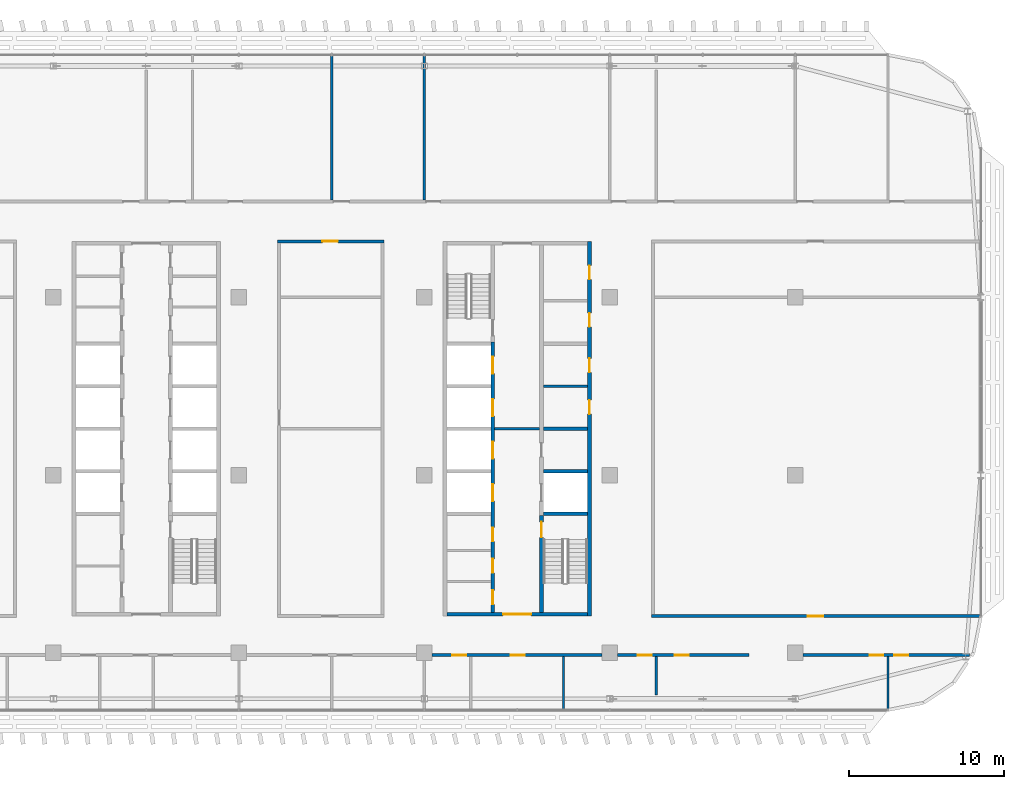
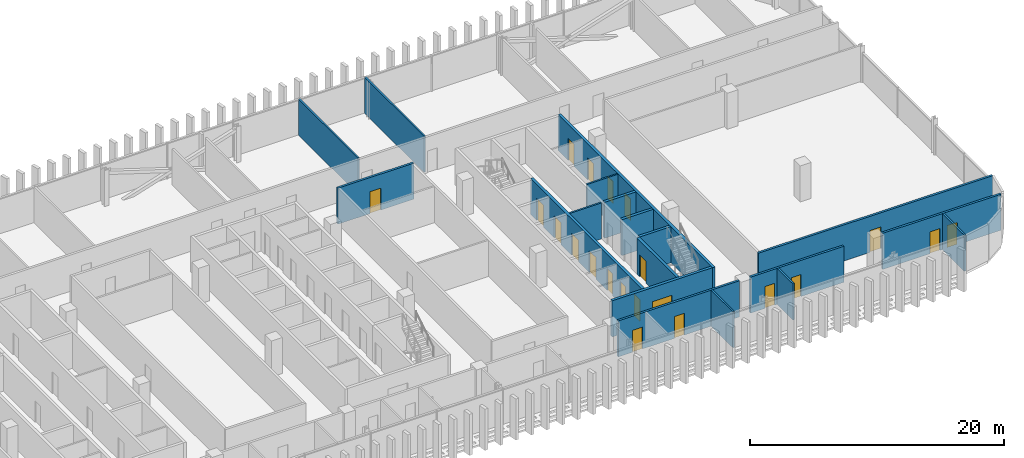
# One storey, part 21 of 34: 21 doors, 19 walls, 21 openings.
"""IFC4 building model written with IfcOpenShell, lengths in metres."""

from ifc_helpers import new_model, si_unit, direction, frame, frame_2d, origin, place, context, subcontext, project, spatial, rectangle, extrude, material, layer, layer_set, type_object, element, fill, save


model = new_model("IFC4")

# Units and contexts
model_context = context("Model", 3, precision=1e-05, world=origin(), true_north=direction((0.0, 1.0)))
body_context = subcontext(model_context, "Body", "Model", "MODEL_VIEW")
ifc_project = project(units=[si_unit("LENGTHUNIT", "METRE"), si_unit("AREAUNIT", "SQUARE_METRE"), si_unit("VOLUMEUNIT", "CUBIC_METRE"), si_unit("PLANEANGLEUNIT", "RADIAN"), si_unit("MASSUNIT", "GRAM", prefix="KILO")], contexts=[model_context])

# Site, building, storey
site_placement = place(None, origin())
site = spatial("IfcSite", under=ifc_project, at=site_placement, CompositionType="ELEMENT")
building_placement = place(site_placement, origin())
building = spatial("IfcBuilding", under=site, at=building_placement, Name="Mahtab Terrace Research Tower", CompositionType="ELEMENT")
storey_placement = place(building_placement, frame((0.0, 0.0, 247.60009765625)))
storey = spatial("IfcBuildingStorey", under=building, at=storey_placement, Name="L60", CompositionType="ELEMENT", Elevation=247.60009765625)

# Walls
ifc_material_1 = material(Name="Gypsum board partition")
ifc_layer_1 = layer(ifc_material_1, 0.14990234375)
ifc_layer_set_1 = layer_set([ifc_layer_1], Name="Core partition 150")
wall_type_1 = type_object("IfcWallType", Name="Core partition 150", PredefinedType="PARTITIONING", material=ifc_layer_set_1)
wall_1_placement = place(storey_placement, frame((22.550048828125, 3.0, 0.0), z_axis=(0.0, 0.0, 1.0), x_axis=(1.0, 0.0, 0.0)))
element("IfcWall", 1, at=wall_1_placement, inside=storey, type_object=wall_type_1, Name="Core wall C ffl", PredefinedType="PARTITIONING", context=body_context, shape_type="SweptSolid", body=[
    extrude(rectangle(XDim=2.89990234375, YDim=0.14990234375, at=frame_2d((1.449951171875, 0.0))), origin(), (0.0, 0.0, 1.0), 3.4599609375),
])
wall_2_placement = place(storey_placement, frame((25.699951171875, 5.75, 0.0), z_axis=(0.0, 0.0, 1.0), x_axis=(1.0, 0.0, 0.0)))
element("IfcWall", 2, at=wall_2_placement, inside=storey, type_object=wall_type_1, Name="Core wall C pEL275", PredefinedType="PARTITIONING", context=body_context, shape_type="SweptSolid", body=[
    extrude(rectangle(XDim=2.85009765625, YDim=0.14990234375, at=frame_2d((1.425048828125, 0.0))), origin(), (0.0, 0.0, 1.0), 3.4599609375),
])

# Wall, openings, doors
ifc_material_2 = material(Name="Concrete C70/85", Category="concrete")
ifc_layer_2 = layer(ifc_material_2, 0.25)
ifc_layer_set_2 = layer_set([ifc_layer_2], Name="Core wall 250")
wall_type_2 = type_object("IfcWallType", Name="Core wall 250", PredefinedType="SOLIDWALL", material=ifc_layer_set_2)
wall_3_placement = place(storey_placement, frame((28.675048828125, -9.125, 0.0), z_axis=(0.0, 0.0, 1.0), x_axis=(0.0, 1.0, 0.0)))
wall_3 = element("IfcWall", 3, at=wall_3_placement, inside=storey, type_object=wall_type_2, Name="Core wall C outerE", PredefinedType="SOLIDWALL", context=body_context, shape_type="SweptSolid", body=[
    extrude(rectangle(XDim=24.25, YDim=0.25, at=frame_2d((12.125, 0.0))), origin(), (0.0, 0.0, 1.0), 3.4599609375),
])
opening_1_placement = place(wall_3_placement, frame((13.074951171875, 0.0, 0.0)))
opening_1 = element("IfcOpeningElement", 4, at=opening_1_placement, cuts=wall_3, Name="Opening C-R2", PredefinedType="OPENING", context=body_context, shape_type="SweptSolid", body=[
    extrude(rectangle(XDim=0.89990234375, YDim=2.10009765625, at=frame_2d((0.449951171875, 1.050048828125))), frame((0.0, 0.135009765625, 0.0), z_axis=(0.0, -1.0, 0.0), x_axis=(1.0, 0.0, 0.0)), (0.0, 0.0, 1.0), 0.27001953125),
])
opening_2_placement = place(wall_3_placement, frame((15.77490234375, 0.0, 0.0)))
opening_2 = element("IfcOpeningElement", 5, at=opening_2_placement, cuts=wall_3, Name="Opening C-R3", PredefinedType="OPENING", context=body_context, shape_type="SweptSolid", body=[
    extrude(rectangle(XDim=0.89990234375, YDim=2.10009765625, at=frame_2d((0.449951171875, 1.050048828125))), frame((0.0, 0.135009765625, 0.0), z_axis=(0.0, -1.0, 0.0), x_axis=(1.0, 0.0, 0.0)), (0.0, 0.0, 1.0), 0.27001953125),
])
opening_3_placement = place(wall_3_placement, frame((18.71240234375, 0.0, 0.0)))
opening_3 = element("IfcOpeningElement", 6, at=opening_3_placement, cuts=wall_3, Name="Opening C-R7", PredefinedType="OPENING", context=body_context, shape_type="SweptSolid", body=[
    extrude(rectangle(XDim=0.89990234375, YDim=2.10009765625, at=frame_2d((0.449951171875, 1.050048828125))), frame((0.0, 0.135009765625, 0.0), z_axis=(0.0, -1.0, 0.0), x_axis=(1.0, 0.0, 0.0)), (0.0, 0.0, 1.0), 0.27001953125),
])
opening_4_placement = place(wall_3_placement, frame((21.78759765625, 0.0, 0.0)))
opening_4 = element("IfcOpeningElement", 7, at=opening_4_placement, cuts=wall_3, Name="Opening C-R8", PredefinedType="OPENING", context=body_context, shape_type="SweptSolid", body=[
    extrude(rectangle(XDim=0.89990234375, YDim=2.10009765625, at=frame_2d((0.449951171875, 1.050048828125))), frame((0.0, 0.135009765625, 0.0), z_axis=(0.0, -1.0, 0.0), x_axis=(1.0, 0.0, 0.0)), (0.0, 0.0, 1.0), 0.27001953125),
])
ifc_material_3 = material(Name="Steel fire door", Category="steel")
door_type_1 = type_object("IfcDoorType", Name="Room door 900x2100 1 HR", OperationType="NOTDEFINED", PredefinedType="DOOR", material=ifc_material_3)
door_1_placement = place(opening_1_placement, origin())
door_1 = element("IfcDoor", 8, at=door_1_placement, inside=storey, type_object=door_type_1, Name="Document store door", OperationType="SINGLE_SWING_RIGHT", OverallHeight=2.10009765625, OverallWidth=0.89990234375, PredefinedType="DOOR", context=body_context, shape_type="SweptSolid", body=[
    extrude(rectangle(XDim=0.89990234375, YDim=2.10009765625, at=frame_2d((0.449951171875, 1.050048828125))), frame((0.0, 0.02490234375, 0.0), z_axis=(0.0, -1.0, 0.0), x_axis=(1.0, 0.0, 0.0)), (0.0, 0.0, 1.0), 0.050048828125),
])
fill(opening_1, door_1)
door_2_placement = place(opening_2_placement, origin())
door_2 = element("IfcDoor", 9, at=door_2_placement, inside=storey, type_object=door_type_1, Name="IT equipment room door", OperationType="SINGLE_SWING_LEFT", OverallHeight=2.10009765625, OverallWidth=0.89990234375, PredefinedType="DOOR", context=body_context, shape_type="SweptSolid", body=[
    extrude(rectangle(XDim=0.89990234375, YDim=2.10009765625, at=frame_2d((0.449951171875, 1.050048828125))), frame((0.0, 0.02490234375, 0.0), z_axis=(0.0, -1.0, 0.0), x_axis=(1.0, 0.0, 0.0)), (0.0, 0.0, 1.0), 0.050048828125),
])
fill(opening_2, door_2)
door_3_placement = place(opening_3_placement, origin())
door_3 = element("IfcDoor", 10, at=door_3_placement, inside=storey, type_object=door_type_1, Name="Mechanical riser room door", OperationType="SINGLE_SWING_LEFT", OverallHeight=2.10009765625, OverallWidth=0.89990234375, PredefinedType="DOOR", context=body_context, shape_type="SweptSolid", body=[
    extrude(rectangle(XDim=0.89990234375, YDim=2.10009765625, at=frame_2d((0.449951171875, 1.050048828125))), frame((0.0, 0.02490234375, 0.0), z_axis=(0.0, -1.0, 0.0), x_axis=(1.0, 0.0, 0.0)), (0.0, 0.0, 1.0), 0.050048828125),
])
fill(opening_3, door_3)
door_4_placement = place(opening_4_placement, origin())
door_4 = element("IfcDoor", 11, at=door_4_placement, inside=storey, type_object=door_type_1, Name="Chemical store door", OperationType="SINGLE_SWING_RIGHT", OverallHeight=2.10009765625, OverallWidth=0.89990234375, PredefinedType="DOOR", context=body_context, shape_type="SweptSolid", body=[
    extrude(rectangle(XDim=0.89990234375, YDim=2.10009765625, at=frame_2d((0.449951171875, 1.050048828125))), frame((0.0, 0.02490234375, 0.0), z_axis=(0.0, -1.0, 0.0), x_axis=(1.0, 0.0, 0.0)), (0.0, 0.0, 1.0), 0.050048828125),
])
fill(opening_4, door_4)

# Wall, opening, door
wall_4_placement = place(storey_placement, frame((28.550048828125, -9.0, 0.0), z_axis=(0.0, 0.0, 1.0), x_axis=(-1.0, 0.0, 0.0)))
wall_4 = element("IfcWall", 12, at=wall_4_placement, inside=storey, type_object=wall_type_2, Name="Core wall C endS", PredefinedType="SOLIDWALL", context=body_context, shape_type="SweptSolid", body=[
    extrude(rectangle(XDim=9.10009765625, YDim=0.25, at=frame_2d((4.550048828125, 0.0))), origin(), (0.0, 0.0, 1.0), 3.4599609375),
])
opening_5_placement = place(wall_4_placement, frame((3.64990234375, 0.0, 0.0)))
opening_5 = element("IfcOpeningElement", 13, at=opening_5_placement, cuts=wall_4, Name="Opening C-S1", PredefinedType="OPENING", context=body_context, shape_type="SweptSolid", body=[
    extrude(rectangle(XDim=1.800048828125, YDim=2.10009765625, at=frame_2d((0.89990234375, 1.050048828125))), frame((0.0, 0.135009765625, 0.0), z_axis=(0.0, -1.0, 0.0), x_axis=(1.0, 0.0, 0.0)), (0.0, 0.0, 1.0), 0.27001953125),
])
door_type_2 = type_object("IfcDoorType", Name="Lobby double door 1800x2100 1 HR", OperationType="DOUBLE_DOOR_SINGLE_SWING", PredefinedType="DOOR", material=ifc_material_3)
door_5_placement = place(opening_5_placement, origin())
door_5 = element("IfcDoor", 14, at=door_5_placement, inside=storey, type_object=door_type_2, Name="Core entrance door C S", OperationType="DOUBLE_DOOR_SINGLE_SWING", OverallHeight=2.10009765625, OverallWidth=1.800048828125, PredefinedType="DOOR", context=body_context, shape_type="SweptSolid", body=[
    extrude(rectangle(XDim=1.800048828125, YDim=2.10009765625, at=frame_2d((0.89990234375, 1.050048828125))), frame((0.0, 0.02490234375, 0.0), z_axis=(0.0, -1.0, 0.0), x_axis=(1.0, 0.0, 0.0)), (0.0, 0.0, 1.0), 0.050048828125),
])
fill(opening_5, door_5)

# Wall, openings, doors
wall_5_placement = place(storey_placement, frame((22.425048828125, -8.875, 0.0), z_axis=(0.0, 0.0, 1.0), x_axis=(0.0, 1.0, 0.0)))
wall_5 = element("IfcWall", 15, at=wall_5_placement, inside=storey, type_object=wall_type_2, Name="Core wall C innerWSL", PredefinedType="SOLIDWALL", context=body_context, shape_type="SweptSolid", body=[
    extrude(rectangle(XDim=17.5, YDim=0.25, at=frame_2d((8.75, 0.0))), origin(), (0.0, 0.0, 1.0), 3.4599609375),
])
opening_6_placement = place(wall_5_placement, frame((7.199951171875, 0.0, 0.0)))
opening_6 = element("IfcOpeningElement", 16, at=opening_6_placement, cuts=wall_5, Name="Opening LD17-L60", PredefinedType="OPENING", context=body_context, shape_type="SweptSolid", body=[
    extrude(rectangle(XDim=1.10009765625, YDim=2.10009765625, at=frame_2d((0.550048828125, 1.050048828125))), frame((0.0, 0.135009765625, 0.0), z_axis=(0.0, -1.0, 0.0), x_axis=(1.0, 0.0, 0.0)), (0.0, 0.0, 1.0), 0.27001953125),
])
opening_7_placement = place(wall_5_placement, frame((9.949951171875, 0.0, 0.0)))
opening_7 = element("IfcOpeningElement", 17, at=opening_7_placement, cuts=wall_5, Name="Opening LD18-L60", PredefinedType="OPENING", context=body_context, shape_type="SweptSolid", body=[
    extrude(rectangle(XDim=1.10009765625, YDim=2.10009765625, at=frame_2d((0.550048828125, 1.050048828125))), frame((0.0, 0.135009765625, 0.0), z_axis=(0.0, -1.0, 0.0), x_axis=(1.0, 0.0, 0.0)), (0.0, 0.0, 1.0), 0.27001953125),
])
opening_8_placement = place(wall_5_placement, frame((12.699951171875, 0.0, 0.0)))
opening_8 = element("IfcOpeningElement", 18, at=opening_8_placement, cuts=wall_5, Name="Opening LD19-L60", PredefinedType="OPENING", context=body_context, shape_type="SweptSolid", body=[
    extrude(rectangle(XDim=1.10009765625, YDim=2.10009765625, at=frame_2d((0.550048828125, 1.050048828125))), frame((0.0, 0.135009765625, 0.0), z_axis=(0.0, -1.0, 0.0), x_axis=(1.0, 0.0, 0.0)), (0.0, 0.0, 1.0), 0.27001953125),
])
opening_9_placement = place(wall_5_placement, frame((15.449951171875, 0.0, 0.0)))
opening_9 = element("IfcOpeningElement", 19, at=opening_9_placement, cuts=wall_5, Name="Opening LD20-L60", PredefinedType="OPENING", context=body_context, shape_type="SweptSolid", body=[
    extrude(rectangle(XDim=1.10009765625, YDim=2.10009765625, at=frame_2d((0.550048828125, 1.050048828125))), frame((0.0, 0.135009765625, 0.0), z_axis=(0.0, -1.0, 0.0), x_axis=(1.0, 0.0, 0.0)), (0.0, 0.0, 1.0), 0.27001953125),
])
opening_10_placement = place(wall_5_placement, frame((0.512451171875, 0.0, 0.0)))
opening_10 = element("IfcOpeningElement", 20, at=opening_10_placement, cuts=wall_5, Name="Opening C-R4", PredefinedType="OPENING", context=body_context, shape_type="SweptSolid", body=[
    extrude(rectangle(XDim=0.89990234375, YDim=2.10009765625, at=frame_2d((0.449951171875, 1.050048828125))), frame((0.0, 0.135009765625, 0.0), z_axis=(0.0, -1.0, 0.0), x_axis=(1.0, 0.0, 0.0)), (0.0, 0.0, 1.0), 0.27001953125),
])
opening_11_placement = place(wall_5_placement, frame((2.550048828125, 0.0, 0.0)))
opening_11 = element("IfcOpeningElement", 21, at=opening_11_placement, cuts=wall_5, Name="Opening C-R5", PredefinedType="OPENING", context=body_context, shape_type="SweptSolid", body=[
    extrude(rectangle(XDim=0.89990234375, YDim=2.10009765625, at=frame_2d((0.449951171875, 1.050048828125))), frame((0.0, 0.135009765625, 0.0), z_axis=(0.0, -1.0, 0.0), x_axis=(1.0, 0.0, 0.0)), (0.0, 0.0, 1.0), 0.27001953125),
])
opening_12_placement = place(wall_5_placement, frame((4.58740234375, 0.0, 0.0)))
opening_12 = element("IfcOpeningElement", 22, at=opening_12_placement, cuts=wall_5, Name="Opening C-R6", PredefinedType="OPENING", context=body_context, shape_type="SweptSolid", body=[
    extrude(rectangle(XDim=0.89990234375, YDim=2.10009765625, at=frame_2d((0.449951171875, 1.050048828125))), frame((0.0, 0.135009765625, 0.0), z_axis=(0.0, -1.0, 0.0), x_axis=(1.0, 0.0, 0.0)), (0.0, 0.0, 1.0), 0.27001953125),
])
ifc_material_4 = material(Name="Stainless steel AISI 304", Category="steel")
door_type_3 = type_object("IfcDoorType", Name="Landing door 1100x2100", OperationType="DOUBLE_DOOR_SLIDING", PredefinedType="DOOR", material=ifc_material_4)
door_6_placement = place(opening_6_placement, origin())
door_6 = element("IfcDoor", 23, at=door_6_placement, inside=storey, type_object=door_type_3, Name="Landing door SV1 L60", OperationType="DOUBLE_DOOR_SLIDING", OverallHeight=2.10009765625, OverallWidth=1.10009765625, PredefinedType="DOOR", context=body_context, shape_type="SweptSolid", body=[
    extrude(rectangle(XDim=1.10009765625, YDim=2.10009765625, at=frame_2d((0.550048828125, 1.050048828125))), frame((0.0, 0.02490234375, 0.0), z_axis=(0.0, -1.0, 0.0), x_axis=(1.0, 0.0, 0.0)), (0.0, 0.0, 1.0), 0.050048828125),
])
fill(opening_6, door_6)
door_7_placement = place(opening_7_placement, origin())
door_7 = element("IfcDoor", 24, at=door_7_placement, inside=storey, type_object=door_type_3, Name="Landing door SV2 L60", OperationType="DOUBLE_DOOR_SLIDING", OverallHeight=2.10009765625, OverallWidth=1.10009765625, PredefinedType="DOOR", context=body_context, shape_type="SweptSolid", body=[
    extrude(rectangle(XDim=1.10009765625, YDim=2.10009765625, at=frame_2d((0.550048828125, 1.050048828125))), frame((0.0, 0.02490234375, 0.0), z_axis=(0.0, -1.0, 0.0), x_axis=(1.0, 0.0, 0.0)), (0.0, 0.0, 1.0), 0.050048828125),
])
fill(opening_7, door_7)
door_8_placement = place(opening_8_placement, origin())
door_8 = element("IfcDoor", 25, at=door_8_placement, inside=storey, type_object=door_type_3, Name="Landing door FF1 L60", OperationType="DOUBLE_DOOR_SLIDING", OverallHeight=2.10009765625, OverallWidth=1.10009765625, PredefinedType="DOOR", context=body_context, shape_type="SweptSolid", body=[
    extrude(rectangle(XDim=1.10009765625, YDim=2.10009765625, at=frame_2d((0.550048828125, 1.050048828125))), frame((0.0, 0.02490234375, 0.0), z_axis=(0.0, -1.0, 0.0), x_axis=(1.0, 0.0, 0.0)), (0.0, 0.0, 1.0), 0.050048828125),
])
fill(opening_8, door_8)
door_9_placement = place(opening_9_placement, origin())
door_9 = element("IfcDoor", 26, at=door_9_placement, inside=storey, type_object=door_type_3, Name="Landing door FF2 L60", OperationType="DOUBLE_DOOR_SLIDING", OverallHeight=2.10009765625, OverallWidth=1.10009765625, PredefinedType="DOOR", context=body_context, shape_type="SweptSolid", body=[
    extrude(rectangle(XDim=1.10009765625, YDim=2.10009765625, at=frame_2d((0.550048828125, 1.050048828125))), frame((0.0, 0.02490234375, 0.0), z_axis=(0.0, -1.0, 0.0), x_axis=(1.0, 0.0, 0.0)), (0.0, 0.0, 1.0), 0.050048828125),
])
fill(opening_9, door_9)
door_10_placement = place(opening_10_placement, origin())
door_10 = element("IfcDoor", 27, at=door_10_placement, inside=storey, type_object=door_type_1, Name="Male WC door", OperationType="SINGLE_SWING_RIGHT", OverallHeight=2.10009765625, OverallWidth=0.89990234375, PredefinedType="DOOR", context=body_context, shape_type="SweptSolid", body=[
    extrude(rectangle(XDim=0.89990234375, YDim=2.10009765625, at=frame_2d((0.449951171875, 1.050048828125))), frame((0.0, 0.02490234375, 0.0), z_axis=(0.0, -1.0, 0.0), x_axis=(1.0, 0.0, 0.0)), (0.0, 0.0, 1.0), 0.050048828125),
])
fill(opening_10, door_10)
door_11_placement = place(opening_11_placement, origin())
door_11 = element("IfcDoor", 28, at=door_11_placement, inside=storey, type_object=door_type_1, Name="Female WC door", OperationType="SINGLE_SWING_LEFT", OverallHeight=2.10009765625, OverallWidth=0.89990234375, PredefinedType="DOOR", context=body_context, shape_type="SweptSolid", body=[
    extrude(rectangle(XDim=0.89990234375, YDim=2.10009765625, at=frame_2d((0.449951171875, 1.050048828125))), frame((0.0, 0.02490234375, 0.0), z_axis=(0.0, -1.0, 0.0), x_axis=(1.0, 0.0, 0.0)), (0.0, 0.0, 1.0), 0.050048828125),
])
fill(opening_11, door_11)
door_12_placement = place(opening_12_placement, origin())
door_12 = element("IfcDoor", 29, at=door_12_placement, inside=storey, type_object=door_type_1, Name="Accessible WC door", OperationType="SINGLE_SWING_RIGHT", OverallHeight=2.10009765625, OverallWidth=0.89990234375, PredefinedType="DOOR", context=body_context, shape_type="SweptSolid", body=[
    extrude(rectangle(XDim=0.89990234375, YDim=2.10009765625, at=frame_2d((0.449951171875, 1.050048828125))), frame((0.0, 0.02490234375, 0.0), z_axis=(0.0, -1.0, 0.0), x_axis=(1.0, 0.0, 0.0)), (0.0, 0.0, 1.0), 0.050048828125),
])
fill(opening_12, door_12)

# Wall, opening, door
wall_6_placement = place(storey_placement, frame((25.574951171875, -8.875, 0.0), z_axis=(0.0, 0.0, 1.0), x_axis=(0.0, 1.0, 0.0)))
wall_6 = element("IfcWall", 30, at=wall_6_placement, inside=storey, type_object=wall_type_2, Name="Core wall C innerES", PredefinedType="SOLIDWALL", context=body_context, shape_type="SweptSolid", body=[
    extrude(rectangle(XDim=6.25, YDim=0.25, at=frame_2d((3.125, 0.0))), origin(), (0.0, 0.0, 1.0), 3.4599609375),
])
opening_13_placement = place(wall_6_placement, frame((4.85009765625, 0.0, 0.0)))
opening_13 = element("IfcOpeningElement", 31, at=opening_13_placement, cuts=wall_6, Name="Opening C-ST4", PredefinedType="OPENING", context=body_context, shape_type="SweptSolid", body=[
    extrude(rectangle(XDim=1.0, YDim=2.10009765625, at=frame_2d((0.5, 1.050048828125))), frame((0.0, 0.135009765625, 0.0), z_axis=(0.0, -1.0, 0.0), x_axis=(1.0, 0.0, 0.0)), (0.0, 0.0, 1.0), 0.27001953125),
])
door_type_4 = type_object("IfcDoorType", Name="Stair door 1000x2100 1.5 HR", OperationType="NOTDEFINED", PredefinedType="DOOR", material=ifc_material_3)
door_13_placement = place(opening_13_placement, origin())
door_13 = element("IfcDoor", 32, at=door_13_placement, inside=storey, type_object=door_type_4, Name="Stair door ST4 L60", OperationType="SINGLE_SWING_RIGHT", OverallHeight=2.10009765625, OverallWidth=1.0, PredefinedType="DOOR", context=body_context, shape_type="SweptSolid", body=[
    extrude(rectangle(XDim=1.0, YDim=2.10009765625, at=frame_2d((0.5, 1.050048828125))), frame((0.0, 0.02490234375, 0.0), z_axis=(0.0, -1.0, 0.0), x_axis=(1.0, 0.0, 0.0)), (0.0, 0.0, 1.0), 0.050048828125),
])
fill(opening_13, door_13)

# Walls
for number, where, z_axis, x_axis, name in (
    (33, (25.699951171875, -2.5, 0.0), (0.0, 0.0, 1.0), (1.0, 0.0, 0.0), "Core wall C divE0"),
    (34, (25.699951171875, 0.25, 0.0), (0.0, 0.0, 1.0), (1.0, 0.0, 0.0), "Core wall C divE1"),
    (35, (25.699951171875, 3.0, 0.0), (0.0, 0.0, 1.0), (1.0, 0.0, 0.0), "Core wall C divE2"),
):
    element("IfcWall", number, at=place(storey_placement, frame(where, z_axis=z_axis, x_axis=x_axis)), inside=storey, type_object=wall_type_2, Name=name, PredefinedType="SOLIDWALL", context=body_context, shape_type="SweptSolid", body=[
        extrude(rectangle(XDim=2.85009765625, YDim=0.25, at=frame_2d((1.425048828125, 0.0))), origin(), (0.0, 0.0, 1.0), 3.4599609375),
    ])

# Wall, openings, doors
ifc_material_5 = material(Name="Gypsum board corridor wall on steel studs", Category="steel")
ifc_layer_3 = layer(ifc_material_5, 0.199951171875)
ifc_layer_set_3 = layer_set([ifc_layer_3], Name="WALL CORRIDOR 200")
wall_type_3 = type_object("IfcWallType", Name="WALL CORRIDOR 200", PredefinedType="PARTITIONING", material=ifc_layer_set_3)
wall_7_placement = place(storey_placement, frame((18.5, -11.64501953125, 0.0), z_axis=(0.0, 0.0, 1.0), x_axis=(1.0, 0.0, 0.0)))
wall_7 = element("IfcWall", 36, at=wall_7_placement, inside=storey, type_object=wall_type_3, Name="L60-W007", PredefinedType="PARTITIONING", context=body_context, shape_type="SweptSolid", body=[
    extrude(rectangle(XDim=11.0, YDim=0.199951171875, at=frame_2d((5.5, 0.0))), origin(), (0.0, 0.0, 1.0), 3.4599609375),
])
opening_14_placement = place(wall_7_placement, frame((1.300048828125, 0.0, 0.0)))
opening_14 = element("IfcOpeningElement", 37, at=opening_14_placement, cuts=wall_7, Name="Opening L60-111", PredefinedType="OPENING", context=body_context, shape_type="SweptSolid", body=[
    extrude(rectangle(XDim=0.89990234375, YDim=2.10009765625, at=frame_2d((0.449951171875, 1.050048828125))), frame((0.0, 0.10986328125, 0.0), z_axis=(0.0, -1.0, 0.0), x_axis=(1.0, 0.0, 0.0)), (0.0, 0.0, 1.0), 0.219970703125),
])
opening_15_placement = place(wall_7_placement, frame((5.10009765625, 0.0, 0.0)))
opening_15 = element("IfcOpeningElement", 38, at=opening_15_placement, cuts=wall_7, Name="Opening L60-112", PredefinedType="OPENING", context=body_context, shape_type="SweptSolid", body=[
    extrude(rectangle(XDim=0.89990234375, YDim=2.10009765625, at=frame_2d((0.449951171875, 1.050048828125))), frame((0.0, 0.10986328125, 0.0), z_axis=(0.0, -1.0, 0.0), x_axis=(1.0, 0.0, 0.0)), (0.0, 0.0, 1.0), 0.219970703125),
])
ifc_material_6 = material(Name="Timber door leaf in steel frame", Category="steel")
door_type_5 = type_object("IfcDoorType", Name="DOOR 0900X2100 FD30S", OperationType="SINGLE_SWING_LEFT", PredefinedType="DOOR", material=ifc_material_6)
door_14_placement = place(opening_14_placement, origin())
door_14 = element("IfcDoor", 39, at=door_14_placement, inside=storey, type_object=door_type_5, Name="Door L60-111", OperationType="SINGLE_SWING_RIGHT", OverallHeight=2.10009765625, OverallWidth=0.89990234375, PredefinedType="DOOR", context=body_context, shape_type="SweptSolid", body=[
    extrude(rectangle(XDim=0.89990234375, YDim=2.10009765625, at=frame_2d((0.449951171875, 1.050048828125))), frame((0.0, 0.02490234375, 0.0), z_axis=(0.0, -1.0, 0.0), x_axis=(1.0, 0.0, 0.0)), (0.0, 0.0, 1.0), 0.050048828125),
])
fill(opening_14, door_14)
door_15_placement = place(opening_15_placement, origin())
door_15 = element("IfcDoor", 40, at=door_15_placement, inside=storey, type_object=door_type_5, Name="Door L60-112", OperationType="SINGLE_SWING_LEFT", OverallHeight=2.10009765625, OverallWidth=0.89990234375, PredefinedType="DOOR", context=body_context, shape_type="SweptSolid", body=[
    extrude(rectangle(XDim=0.89990234375, YDim=2.10009765625, at=frame_2d((0.449951171875, 1.050048828125))), frame((0.0, 0.02490234375, 0.0), z_axis=(0.0, -1.0, 0.0), x_axis=(1.0, 0.0, 0.0)), (0.0, 0.0, 1.0), 0.050048828125),
])
fill(opening_15, door_15)

wall_8_placement = place(storey_placement, frame((30.5, -11.64501953125, 0.0), z_axis=(0.0, 0.0, 1.0), x_axis=(1.0, 0.0, 0.0)))
wall_8 = element("IfcWall", 41, at=wall_8_placement, inside=storey, type_object=wall_type_3, Name="L60-W008", PredefinedType="PARTITIONING", context=body_context, shape_type="SweptSolid", body=[
    extrude(rectangle(XDim=8.5, YDim=0.199951171875, at=frame_2d((4.25, 0.0))), origin(), (0.0, 0.0, 1.0), 3.4599609375),
])
opening_16_placement = place(wall_8_placement, frame((1.300048828125, 0.0, 0.0)))
opening_16 = element("IfcOpeningElement", 42, at=opening_16_placement, cuts=wall_8, Name="Opening L60-113", PredefinedType="OPENING", context=body_context, shape_type="SweptSolid", body=[
    extrude(rectangle(XDim=0.89990234375, YDim=2.10009765625, at=frame_2d((0.449951171875, 1.050048828125))), frame((0.0, 0.10986328125, 0.0), z_axis=(0.0, -1.0, 0.0), x_axis=(1.0, 0.0, 0.0)), (0.0, 0.0, 1.0), 0.219970703125),
])
opening_17_placement = place(wall_8_placement, frame((3.699951171875, 0.0, 0.0)))
opening_17 = element("IfcOpeningElement", 43, at=opening_17_placement, cuts=wall_8, Name="Opening L60-114", PredefinedType="OPENING", context=body_context, shape_type="SweptSolid", body=[
    extrude(rectangle(XDim=0.89990234375, YDim=2.10009765625, at=frame_2d((0.449951171875, 1.050048828125))), frame((0.0, 0.10986328125, 0.0), z_axis=(0.0, -1.0, 0.0), x_axis=(1.0, 0.0, 0.0)), (0.0, 0.0, 1.0), 0.219970703125),
])
door_16_placement = place(opening_16_placement, origin())
door_16 = element("IfcDoor", 44, at=door_16_placement, inside=storey, type_object=door_type_5, Name="Door L60-113", OperationType="SINGLE_SWING_RIGHT", OverallHeight=2.10009765625, OverallWidth=0.89990234375, PredefinedType="DOOR", context=body_context, shape_type="SweptSolid", body=[
    extrude(rectangle(XDim=0.89990234375, YDim=2.10009765625, at=frame_2d((0.449951171875, 1.050048828125))), frame((0.0, 0.02490234375, 0.0), z_axis=(0.0, -1.0, 0.0), x_axis=(1.0, 0.0, 0.0)), (0.0, 0.0, 1.0), 0.050048828125),
])
fill(opening_16, door_16)
door_17_placement = place(opening_17_placement, origin())
door_17 = element("IfcDoor", 45, at=door_17_placement, inside=storey, type_object=door_type_5, Name="Door L60-114", OperationType="SINGLE_SWING_RIGHT", OverallHeight=2.10009765625, OverallWidth=0.89990234375, PredefinedType="DOOR", context=body_context, shape_type="SweptSolid", body=[
    extrude(rectangle(XDim=0.89990234375, YDim=2.10009765625, at=frame_2d((0.449951171875, 1.050048828125))), frame((0.0, 0.02490234375, 0.0), z_axis=(0.0, -1.0, 0.0), x_axis=(1.0, 0.0, 0.0)), (0.0, 0.0, 1.0), 0.050048828125),
])
fill(opening_17, door_17)

wall_9_placement = place(storey_placement, frame((42.5, -11.64501953125, 0.0), z_axis=(0.0, 0.0, 1.0), x_axis=(1.0, 0.0, 0.0)))
wall_9 = element("IfcWall", 46, at=wall_9_placement, inside=storey, type_object=wall_type_3, Name="L60-W009", PredefinedType="PARTITIONING", context=body_context, shape_type="SweptSolid", body=[
    extrude(rectangle(XDim=10.760009765625, YDim=0.199951171875, at=frame_2d((5.3798828125, 0.0))), origin(), (0.0, 0.0, 1.0), 3.4599609375),
])
opening_18_placement = place(wall_9_placement, frame((4.300048828125, 0.0, 0.0)))
opening_18 = element("IfcOpeningElement", 47, at=opening_18_placement, cuts=wall_9, Name="Opening L60-115", PredefinedType="OPENING", context=body_context, shape_type="SweptSolid", body=[
    extrude(rectangle(XDim=0.89990234375, YDim=2.10009765625, at=frame_2d((0.449951171875, 1.050048828125))), frame((0.0, 0.10986328125, 0.0), z_axis=(0.0, -1.0, 0.0), x_axis=(1.0, 0.0, 0.0)), (0.0, 0.0, 1.0), 0.219970703125),
])
opening_19_placement = place(wall_9_placement, frame((5.89990234375, 0.0, 0.0)))
opening_19 = element("IfcOpeningElement", 48, at=opening_19_placement, cuts=wall_9, Name="Opening L60-116", PredefinedType="OPENING", context=body_context, shape_type="SweptSolid", body=[
    extrude(rectangle(XDim=0.89990234375, YDim=2.10009765625, at=frame_2d((0.449951171875, 1.050048828125))), frame((0.0, 0.10986328125, 0.0), z_axis=(0.0, -1.0, 0.0), x_axis=(1.0, 0.0, 0.0)), (0.0, 0.0, 1.0), 0.219970703125),
])
door_18_placement = place(opening_18_placement, origin())
door_18 = element("IfcDoor", 49, at=door_18_placement, inside=storey, type_object=door_type_5, Name="Door L60-115", OperationType="SINGLE_SWING_RIGHT", OverallHeight=2.10009765625, OverallWidth=0.89990234375, PredefinedType="DOOR", context=body_context, shape_type="SweptSolid", body=[
    extrude(rectangle(XDim=0.89990234375, YDim=2.10009765625, at=frame_2d((0.449951171875, 1.050048828125))), frame((0.0, 0.02490234375, 0.0), z_axis=(0.0, -1.0, 0.0), x_axis=(1.0, 0.0, 0.0)), (0.0, 0.0, 1.0), 0.050048828125),
])
fill(opening_18, door_18)
door_19_placement = place(opening_19_placement, origin())
door_19 = element("IfcDoor", 50, at=door_19_placement, inside=storey, type_object=door_type_5, Name="Door L60-116", OperationType="SINGLE_SWING_LEFT", OverallHeight=2.10009765625, OverallWidth=0.89990234375, PredefinedType="DOOR", context=body_context, shape_type="SweptSolid", body=[
    extrude(rectangle(XDim=0.89990234375, YDim=2.10009765625, at=frame_2d((0.449951171875, 1.050048828125))), frame((0.0, 0.02490234375, 0.0), z_axis=(0.0, -1.0, 0.0), x_axis=(1.0, 0.0, 0.0)), (0.0, 0.0, 1.0), 0.050048828125),
])
fill(opening_19, door_19)

# Wall, opening, door
wall_10_placement = place(storey_placement, frame((32.699951171875, -9.125, 0.0), z_axis=(0.0, 0.0, 1.0), x_axis=(1.0, 0.0, 0.0)))
wall_10 = element("IfcWall", 51, at=wall_10_placement, inside=storey, type_object=wall_type_3, Name="L60-W013", PredefinedType="PARTITIONING", context=body_context, shape_type="SweptSolid", body=[
    extrude(rectangle(XDim=21.275146484375, YDim=0.199951171875, at=frame_2d((10.6376953125, 0.0))), origin(), (0.0, 0.0, 1.0), 3.4599609375),
])
opening_20_placement = place(wall_10_placement, frame((10.10009765625, 0.0, 0.0)))
opening_20 = element("IfcOpeningElement", 52, at=opening_20_placement, cuts=wall_10, Name="Opening L60-120", PredefinedType="OPENING", context=body_context, shape_type="SweptSolid", body=[
    extrude(rectangle(XDim=1.0, YDim=2.10009765625, at=frame_2d((0.5, 1.050048828125))), frame((0.0, 0.10986328125, 0.0), z_axis=(0.0, -1.0, 0.0), x_axis=(1.0, 0.0, 0.0)), (0.0, 0.0, 1.0), 0.219970703125),
])
door_type_6 = type_object("IfcDoorType", Name="DOOR 1000X2100 FD30S", OperationType="SINGLE_SWING_LEFT", PredefinedType="DOOR", material=ifc_material_6)
door_20_placement = place(opening_20_placement, origin())
door_20 = element("IfcDoor", 53, at=door_20_placement, inside=storey, type_object=door_type_6, Name="Door L60-120", OperationType="SINGLE_SWING_RIGHT", OverallHeight=2.10009765625, OverallWidth=1.0, PredefinedType="DOOR", context=body_context, shape_type="SweptSolid", body=[
    extrude(rectangle(XDim=1.0, YDim=2.10009765625, at=frame_2d((0.5, 1.050048828125))), frame((0.0, 0.02490234375, 0.0), z_axis=(0.0, -1.0, 0.0), x_axis=(1.0, 0.0, 0.0)), (0.0, 0.0, 1.0), 0.050048828125),
])
fill(opening_20, door_20)

wall_11_placement = place(storey_placement, frame((8.5, 15.125, 0.0), z_axis=(0.0, 0.0, 1.0), x_axis=(1.0, 0.0, 0.0)))
wall_11 = element("IfcWall", 54, at=wall_11_placement, inside=storey, type_object=wall_type_3, Name="L60-W023", PredefinedType="PARTITIONING", context=body_context, shape_type="SweptSolid", body=[
    extrude(rectangle(XDim=6.89990234375, YDim=0.199951171875, at=frame_2d((3.449951171875, 0.0))), origin(), (0.0, 0.0, 1.0), 3.4599609375),
])
opening_21_placement = place(wall_11_placement, frame((2.89990234375, 0.0, 0.0)))
opening_21 = element("IfcOpeningElement", 55, at=opening_21_placement, cuts=wall_11, Name="Opening L60-125", PredefinedType="OPENING", context=body_context, shape_type="SweptSolid", body=[
    extrude(rectangle(XDim=1.0, YDim=2.10009765625, at=frame_2d((0.5, 1.050048828125))), frame((0.0, 0.10986328125, 0.0), z_axis=(0.0, -1.0, 0.0), x_axis=(1.0, 0.0, 0.0)), (0.0, 0.0, 1.0), 0.219970703125),
])
door_21_placement = place(opening_21_placement, origin())
door_21 = element("IfcDoor", 56, at=door_21_placement, inside=storey, type_object=door_type_6, Name="Door L60-125", OperationType="SINGLE_SWING_RIGHT", OverallHeight=2.10009765625, OverallWidth=1.0, PredefinedType="DOOR", context=body_context, shape_type="SweptSolid", body=[
    extrude(rectangle(XDim=1.0, YDim=2.10009765625, at=frame_2d((0.5, 1.050048828125))), frame((0.0, 0.02490234375, 0.0), z_axis=(0.0, -1.0, 0.0), x_axis=(1.0, 0.0, 0.0)), (0.0, 0.0, 1.0), 0.050048828125),
])
fill(opening_21, door_21)

# Walls
ifc_material_7 = material(Name="Gypsum board partition on steel studs", Category="steel")
ifc_layer_4 = layer(ifc_material_7, 0.14990234375)
ifc_layer_set_4 = layer_set([ifc_layer_4], Name="WALL PARTITION 150")
wall_type_4 = type_object("IfcWallType", Name="WALL PARTITION 150", PredefinedType="PARTITIONING", material=ifc_layer_set_4)
for number, where, z_axis, x_axis, name in (
    (57, (12.0, 17.800048828125, 0.0), (0.0, 0.0, 1.0), (0.0, 1.0, 0.0), "L60-W047"),
    (58, (18.0, 17.800048828125, 0.0), (0.0, 0.0, 1.0), (0.0, 1.0, 0.0), "L60-W050"),
):
    element("IfcWall", number, at=place(storey_placement, frame(where, z_axis=z_axis, x_axis=x_axis)), inside=storey, type_object=wall_type_4, Name=name, PredefinedType="PARTITIONING", context=body_context, shape_type="SweptSolid", body=[
        extrude(rectangle(XDim=9.369873046875, YDim=0.14990234375, at=frame_2d((4.68505859375, 0.0))), origin(), (0.0, 0.0, 1.0), 3.4599609375),
    ])
wall_12_placement = place(storey_placement, frame((27.0, -15.169921875, 0.0), z_axis=(0.0, 0.0, 1.0), x_axis=(0.0, 1.0, 0.0)))
element("IfcWall", 59, at=wall_12_placement, inside=storey, type_object=wall_type_4, Name="L60-W052", PredefinedType="PARTITIONING", context=body_context, shape_type="SweptSolid", body=[
    extrude(rectangle(XDim=3.4248046875, YDim=0.14990234375, at=frame_2d((1.71240234375, 0.0))), origin(), (0.0, 0.0, 1.0), 3.4599609375),
])
wall_13_placement = place(storey_placement, frame((33.0, -14.220703125, 0.0), z_axis=(0.0, 0.0, 1.0), x_axis=(0.0, 1.0, 0.0)))
element("IfcWall", 60, at=wall_13_placement, inside=storey, type_object=wall_type_4, Name="L60-W055", PredefinedType="PARTITIONING", context=body_context, shape_type="SweptSolid", body=[
    extrude(rectangle(XDim=2.4755859375, YDim=0.14990234375, at=frame_2d((1.23779296875, 0.0))), origin(), (0.0, 0.0, 1.0), 3.4599609375),
])
wall_14_placement = place(storey_placement, frame((48.0, -15.169921875, 0.0), z_axis=(0.0, 0.0, 1.0), x_axis=(0.0, 1.0, 0.0)))
element("IfcWall", 61, at=wall_14_placement, inside=storey, type_object=wall_type_4, Name="L60-W059", PredefinedType="PARTITIONING", context=body_context, shape_type="SweptSolid", body=[
    extrude(rectangle(XDim=3.4248046875, YDim=0.14990234375, at=frame_2d((1.71240234375, 0.0))), origin(), (0.0, 0.0, 1.0), 3.4599609375),
])

save(model, "model.ifc")
